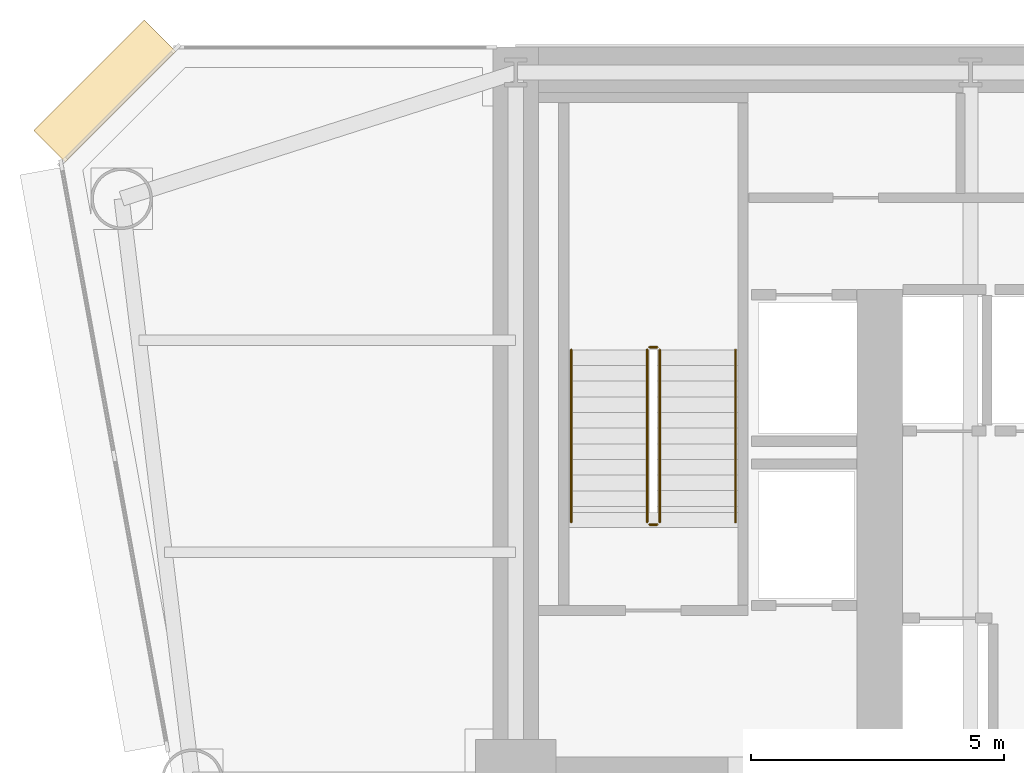
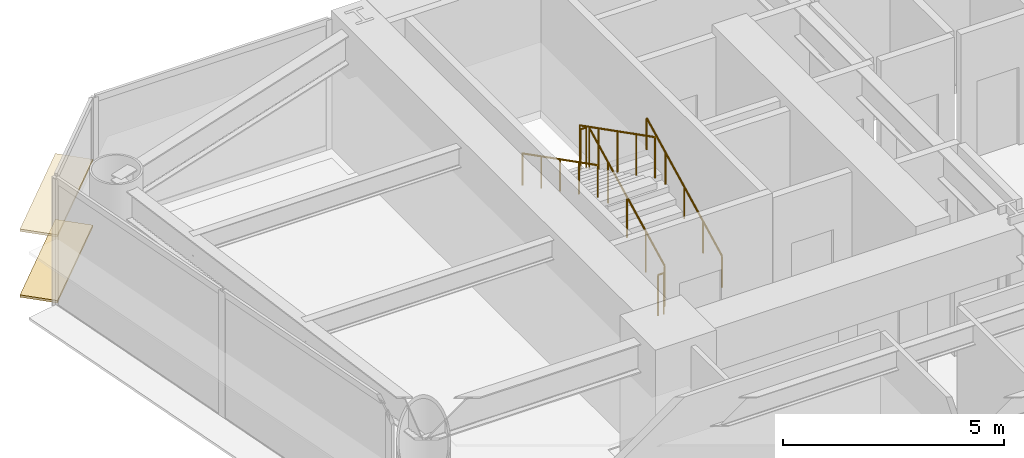
# One storey, part 12 of 14: 6 railings, 2 coverings.
"""IFC4 building model written with IfcOpenShell, lengths in metres."""

import ifcopenshell
import ifcopenshell.guid

model = None  # the IFC model being written
_history = None  # IfcOwnerHistory: only IFC2X3 demands one
_inside = {}  # id of a spatial element -> (the spatial element, [elements in it])
_under = {}  # id of a project, library or spatial element -> (it, [spatial elements below it])
_declared = {}  # id of a project -> (the project, [libraries it declares])
_typed = {}  # id of a type object -> (the type object, [elements of that type])
_made_of = {}  # id of a material, layer set ... -> (it, [elements and type objects made of it])


def new_model(schema):
    """Start an empty IFC model of exactly this schema.

    Asked for "IFC4X3", IfcOpenShell would pick the latest addendum, in which some entities
    have other attributes; the version numbers below select the first issue.
    IFC2X3 requires an IfcOwnerHistory on every rooted entity: one is made here for all.
    """
    global model, _history
    if schema == "IFC4X3":
        model = ifcopenshell.file(schema_version=(4, 3, 0, 0))
    else:
        model = ifcopenshell.file(schema=schema)
    _inside.clear()
    _under.clear()
    _declared.clear()
    _typed.clear()
    _made_of.clear()
    _history = None
    if model.schema == "IFC2X3":
        org = make("IfcOrganization", Name="unknown")
        user = make(
            "IfcPersonAndOrganization",
            ThePerson=make("IfcPerson", FamilyName="unknown"),
            TheOrganization=org,
        )
        app = make(
            "IfcApplication",
            ApplicationDeveloper=org,
            Version="unknown",
            ApplicationFullName="unknown",
            ApplicationIdentifier="unknown",
        )
        _history = make(
            "IfcOwnerHistory",
            OwningUser=user,
            OwningApplication=app,
            ChangeAction="ADDED",
            CreationDate=0,
        )
    return model


def make(cls, **values):
    """One entity of the class cls with the attributes given. An attribute that is None is left unset."""
    return model.create_entity(
        cls, **{name: value for name, value in values.items() if value is not None}
    )


def rooted(cls, **values):
    """An entity with a GlobalId (a new one), such as an element, a storey or a relation."""
    return make(cls, GlobalId=ifcopenshell.guid.new(), OwnerHistory=_history, **values)


def si_unit(unit_type, name, prefix=None):
    """IfcSIUnit, for example si_unit("LENGTHUNIT", "METRE", prefix="MILLI")."""
    return make("IfcSIUnit", UnitType=unit_type, Prefix=prefix, Name=name)


def assignment(units):
    """IfcUnitAssignment: the units of a project."""
    return None if units is None else make("IfcUnitAssignment", Units=units)


def point(xyz):
    """IfcCartesianPoint."""
    return None if xyz is None else make("IfcCartesianPoint", Coordinates=xyz)


def direction(xyz):
    """IfcDirection."""
    return None if xyz is None else make("IfcDirection", DirectionRatios=xyz)


def frame(location, z_axis=None, x_axis=None):
    """IfcAxis2Placement3D, a coordinate frame: its origin and axes. An axis left out is left unset."""
    return make(
        "IfcAxis2Placement3D",
        Location=point(location),
        Axis=direction(z_axis),
        RefDirection=direction(x_axis),
    )


def frame_2d(location, x_axis=None):
    """IfcAxis2Placement2D, a coordinate frame in the plane: its origin and x axis."""
    return make(
        "IfcAxis2Placement2D", Location=point(location), RefDirection=direction(x_axis)
    )


def origin():
    """The frame at (0, 0, 0) with its axes left unset."""
    return frame((0.0, 0.0, 0.0))


def origin_2d():
    """The frame at (0, 0) in the plane with its x axis left unset."""
    return frame_2d((0.0, 0.0))


def place(relative_to, where):
    """IfcLocalPlacement: puts the frame where relative to a parent placement (None: the world)."""
    return make(
        "IfcLocalPlacement", PlacementRelTo=relative_to, RelativePlacement=where
    )


def context(
    kind, dimensions, precision=None, world=None, true_north=None, identifier=None
):
    """IfcGeometricRepresentationContext, for example the 3D "Model" context."""
    return make(
        "IfcGeometricRepresentationContext",
        ContextIdentifier=identifier,
        ContextType=kind,
        CoordinateSpaceDimension=dimensions,
        Precision=precision,
        WorldCoordinateSystem=world,
        TrueNorth=true_north,
    )


def subcontext(parent, identifier, kind, view, scale=None):
    """IfcGeometricRepresentationSubContext, for example "Body" below "Model"."""
    return make(
        "IfcGeometricRepresentationSubContext",
        ContextIdentifier=identifier,
        ContextType=kind,
        ParentContext=parent,
        TargetScale=scale,
        TargetView=view,
    )


def project(units=None, contexts=None):
    """IfcProject with its units and contexts."""
    return rooted(
        "IfcProject",
        Name="project",
        RepresentationContexts=contexts,
        UnitsInContext=assignment(units),
    )


def spatial(cls, under=None, at=None, **own):
    """A site, building, storey or space (cls), placed at a placement, below another one or the project."""
    s = rooted(cls, ObjectPlacement=at, **own)
    if under is not None:
        _under.setdefault(under.id(), (under, []))[1].append(s)
    return s


def profile(cls, at=None, kind="AREA", **sizes):
    """A parametric profile (cls). Its sizes go by their IFC names, for example OverallWidth=200.0."""
    return make(cls, ProfileType=kind, Position=at, **sizes)


def rectangle(**sizes):
    """IfcRectangleProfileDef."""
    return profile("IfcRectangleProfileDef", **sizes)


def circle(**sizes):
    """IfcCircleProfileDef."""
    return profile("IfcCircleProfileDef", **sizes)


def extrude(swept, where, along, depth):
    """IfcExtrudedAreaSolid: the profile swept, set in the frame where, extruded along a direction by depth."""
    return make(
        "IfcExtrudedAreaSolid",
        SweptArea=swept,
        Position=where,
        ExtrudedDirection=direction(along),
        Depth=depth,
    )


def shape(context_of_items, identifier, shape_type, items):
    """IfcShapeRepresentation: the items that make up one representation, for example the "Body"."""
    return make(
        "IfcShapeRepresentation",
        ContextOfItems=context_of_items,
        RepresentationIdentifier=identifier,
        RepresentationType=shape_type,
        Items=items,
    )


def source(mapping_origin, context_of_items, identifier, shape_type, items):
    """IfcRepresentationMap: a shape defined once, which mapped items show again and again."""
    return make(
        "IfcRepresentationMap",
        MappingOrigin=mapping_origin,
        MappedRepresentation=shape(context_of_items, identifier, shape_type, items),
    )


def transform(
    local_origin,
    x_axis=None,
    y_axis=None,
    z_axis=None,
    scale=None,
    scale2=None,
    scale3=None,
    uniform=True,
):
    """IfcCartesianTransformationOperator3D, or its non-uniform kind. x_axis, y_axis, z_axis: its Axis1, 2, 3."""
    if uniform:
        return make(
            "IfcCartesianTransformationOperator3D",
            Axis1=direction(x_axis),
            Axis2=direction(y_axis),
            LocalOrigin=point(local_origin),
            Scale=scale,
            Axis3=direction(z_axis),
        )
    return make(
        "IfcCartesianTransformationOperator3DnonUniform",
        Axis1=direction(x_axis),
        Axis2=direction(y_axis),
        LocalOrigin=point(local_origin),
        Scale=scale,
        Axis3=direction(z_axis),
        Scale2=scale2,
        Scale3=scale3,
    )


def mapped(mapping_source, mapping_target):
    """IfcMappedItem: shows the shape of a source again, moved by a transform."""
    return make(
        "IfcMappedItem", MappingSource=mapping_source, MappingTarget=mapping_target
    )


def material(Name=None, Category=None):
    """IfcMaterial."""
    return make("IfcMaterial", Name=Name, Category=Category)


def layer(
    of_material, thickness, ventilated=None, Name=None, Category=None, Priority=None
):
    """IfcMaterialLayer: one layer of a wall or slab, of a material (None: an air gap)."""
    return make(
        "IfcMaterialLayer",
        Material=of_material,
        LayerThickness=thickness,
        IsVentilated=ventilated,
        Name=Name,
        Category=Category,
        Priority=Priority,
    )


def layer_set(layers, Name=None):
    """IfcMaterialLayerSet."""
    return make("IfcMaterialLayerSet", MaterialLayers=layers, LayerSetName=Name)


def made_of(thing, what):
    """Note that an element or type object is made of a material, layer set ...; save() writes the relation."""
    if what is not None:
        _made_of.setdefault(what.id(), (what, []))[1].append(thing)
    return thing


def type_object(cls, material=None, **own):
    """A type object (cls), such as IfcWallType, which elements share."""
    return made_of(rooted(cls, **own), material)


def element(
    cls,
    number,
    at=None,
    inside=None,
    cuts=None,
    type_object=None,
    material=None,
    context=None,
    identifier="Body",
    shape_type=None,
    held_by="IfcProductDefinitionShape",
    body=None,
    shapes=None,
    **own,
):
    """One element of the class cls, such as IfcWall. Its Tag is "e" and its number.

    at: its placement. inside: the storey or other place that contains it. cuts: it is an
    opening in that element (IfcRelVoidsElement). A single representation is given by context,
    identifier, shape_type and body (its items); several are given by shapes. held_by: the class
    of the entity that holds the representations. save() writes the other relations.
    """
    e = rooted(cls, Tag="e%d" % number, ObjectPlacement=at, **own)
    if body is not None:
        shapes = [shape(context, identifier, shape_type, body)]
    if shapes is not None:
        e.Representation = make(held_by, Representations=shapes)
    if inside is not None:
        _inside.setdefault(inside.id(), (inside, []))[1].append(e)
    if cuts is not None:
        rooted(
            "IfcRelVoidsElement", RelatingBuildingElement=cuts, RelatedOpeningElement=e
        )
    if type_object is not None:
        _typed.setdefault(type_object.id(), (type_object, []))[1].append(e)
    return made_of(e, material)


def aggregate(whole, parts):
    """IfcRelAggregates: a whole, such as a stair, and the parts it consists of."""
    return rooted("IfcRelAggregates", RelatingObject=whole, RelatedObjects=parts)


def save(model, path):
    """Write the relations noted so far, then the file.

    IfcRelAggregates (storeys below a building ...), IfcRelContainedInSpatialStructure (elements
    in a storey), IfcRelDefinesByType, IfcRelAssociatesMaterial and IfcRelDeclares: one each for
    every whole, place, type object, material and project.
    """
    for whole, parts in _under.values():
        aggregate(whole, parts)
    for where, things in _inside.values():
        rooted(
            "IfcRelContainedInSpatialStructure",
            RelatedElements=things,
            RelatingStructure=where,
        )
    for kind, things in _typed.values():
        rooted("IfcRelDefinesByType", RelatedObjects=things, RelatingType=kind)
    for what, things in _made_of.values():
        rooted("IfcRelAssociatesMaterial", RelatedObjects=things, RelatingMaterial=what)
    for by, libraries in _declared.values():
        rooted("IfcRelDeclares", RelatingContext=by, RelatedDefinitions=libraries)
    model.write(path)


model = new_model("IFC4")

# Units and contexts
model_context = context("Model", 3, precision=1e-05, world=origin(), true_north=direction((0.0, 1.0)))
body_context = subcontext(model_context, "Body", "Model", "MODEL_VIEW")
ifc_project = project(units=[si_unit("LENGTHUNIT", "METRE"), si_unit("AREAUNIT", "SQUARE_METRE"), si_unit("VOLUMEUNIT", "CUBIC_METRE"), si_unit("PLANEANGLEUNIT", "RADIAN"), si_unit("MASSUNIT", "GRAM", prefix="KILO")], contexts=[model_context])

# Site, building, storey
site_placement = place(None, origin())
site = spatial("IfcSite", under=ifc_project, at=site_placement, CompositionType="ELEMENT")
building_placement = place(site_placement, origin())
building = spatial("IfcBuilding", under=site, at=building_placement, Name="Vaeldorn Concourse Tower", CompositionType="ELEMENT")
storey_placement = place(building_placement, frame((0.0, 0.0, 34.0)))
storey = spatial("IfcBuildingStorey", under=building, at=storey_placement, Name="L08", CompositionType="ELEMENT", Elevation=34.0)

# Railings
ifc_material = material(Name="Anodised Bronze Aluminium", Category="aluminium")
railing_type_1 = type_object("IfcRailingType", Name="RL-STAIR-GUARD", PredefinedType="GUARDRAIL", material=ifc_material)
railing_1_placement = place(storey_placement, frame((16.85009765625, 41.60009765625, 0.158447265625)))
element("IfcRailing", 1, at=railing_1_placement, inside=storey, type_object=railing_type_1, Name="L08 ST-1 stair guard 1", PredefinedType="GUARDRAIL", context=body_context, shape_type="SweptSolid", body=[
    extrude(circle(Radius=0.02392578125, at=origin_2d()), frame((0.0, 0.0, 1.1259765625), z_axis=(0.0, 0.890581635807, 0.454823427236), x_axis=(-1.0, 0.0, 0.0)), (0.0, 0.0, 1.0), 3.828857421875),
    extrude(circle(Radius=0.02099609375, at=origin_2d()), origin(), (0.0, 0.0, 1.0), 1.101806640625),
    extrude(circle(Radius=0.02099609375, at=origin_2d()), frame((0.0, 0.8525390625, 0.435302734375)), (0.0, 0.0, 1.0), 1.101806640625),
    extrude(circle(Radius=0.02099609375, at=origin_2d()), frame((0.0, 1.705078125, 0.87060546875)), (0.0, 0.0, 1.0), 1.101806640625),
    extrude(circle(Radius=0.02099609375, at=origin_2d()), frame((0.0, 2.557373046875, 1.30615234375)), (0.0, 0.0, 1.0), 1.101806640625),
    extrude(circle(Radius=0.02099609375, at=origin_2d()), frame((0.0, 3.409912109375, 1.741455078125)), (0.0, 0.0, 1.0), 1.101806640625),
])
railing_2_placement = place(storey_placement, frame((16.800048828125, 45.06005859375, 1.89990234375)))
element("IfcRailing", 2, at=railing_2_placement, inside=storey, type_object=railing_type_1, Name="L08 ST-1 stair guard 2", PredefinedType="GUARDRAIL", context=body_context, shape_type="SweptSolid", body=[
    extrude(circle(Radius=0.02392578125, at=origin_2d()), frame((0.0, 0.0, 1.1259765625), z_axis=(-1.0, 0.0, 0.0), x_axis=(0.0, -1.0, 0.0)), (0.0, 0.0, 1.0), 0.150146484375),
    extrude(circle(Radius=0.02099609375, at=origin_2d()), origin(), (0.0, 0.0, 1.0), 1.101806640625),
    extrude(circle(Radius=0.02099609375, at=origin_2d()), frame((-0.150146484375, 0.0, 0.0)), (0.0, 0.0, 1.0), 1.101806640625),
])
railing_3_placement = place(storey_placement, frame((16.60009765625, 45.010009765625, 2.058349609375)))
element("IfcRailing", 3, at=railing_3_placement, inside=storey, type_object=railing_type_1, Name="L08 ST-1 stair guard 3", PredefinedType="GUARDRAIL", context=body_context, shape_type="SweptSolid", body=[
    extrude(circle(Radius=0.02392578125, at=origin_2d()), frame((0.0, 0.0, 1.1259765625), z_axis=(0.0, -0.890555807335, 0.454873997962), x_axis=(1.0, 0.0, 0.0)), (0.0, 0.0, 1.0), 3.828857421875),
    extrude(circle(Radius=0.02099609375, at=origin_2d()), origin(), (0.0, 0.0, 1.0), 1.101806640625),
    extrude(circle(Radius=0.02099609375, at=origin_2d()), frame((0.0, -0.8525390625, 0.435546875)), (0.0, 0.0, 1.0), 1.101806640625),
    extrude(circle(Radius=0.02099609375, at=origin_2d()), frame((0.0, -1.705078125, 0.870849609375)), (0.0, 0.0, 1.0), 1.101806640625),
    extrude(circle(Radius=0.02099609375, at=origin_2d()), frame((0.0, -2.557373046875, 1.30615234375)), (0.0, 0.0, 1.0), 1.101806640625),
    extrude(circle(Radius=0.02099609375, at=origin_2d()), frame((0.0, -3.409912109375, 1.74169921875)), (0.0, 0.0, 1.0), 1.101806640625),
])
railing_4_placement = place(storey_placement, frame((16.800048828125, 41.550048828125, 0.0)))
element("IfcRailing", 4, at=railing_4_placement, inside=storey, type_object=railing_type_1, Name="L08 ST-1 stair guard 4", PredefinedType="GUARDRAIL", context=body_context, shape_type="SweptSolid", body=[
    extrude(circle(Radius=0.02392578125, at=origin_2d()), frame((0.0, 0.0, 1.1259765625), z_axis=(-1.0, 0.0, 0.0), x_axis=(0.0, -1.0, 0.0)), (0.0, 0.0, 1.0), 0.150146484375),
    extrude(circle(Radius=0.02099609375, at=origin_2d()), origin(), (0.0, 0.0, 1.0), 1.101806640625),
    extrude(circle(Radius=0.02099609375, at=origin_2d()), frame((-0.150146484375, 0.0, 0.0)), (0.0, 0.0, 1.0), 1.101806640625),
])
railing_type_2 = type_object("IfcRailingType", Name="RL-STAIR-HANDRAIL", PredefinedType="HANDRAIL", material=ifc_material)
railing_5_placement = place(storey_placement, frame((18.35009765625, 41.60009765625, 0.158447265625)))
element("IfcRailing", 5, at=railing_5_placement, inside=storey, type_object=railing_type_2, Name="L08 ST-1 stair handrail 1", PredefinedType="HANDRAIL", context=body_context, shape_type="SweptSolid", body=[
    extrude(circle(Radius=0.02392578125, at=origin_2d()), frame((0.0, 0.0, 0.8759765625), z_axis=(0.0, 0.890581635807, 0.454823427236), x_axis=(-1.0, 0.0, 0.0)), (0.0, 0.0, 1.0), 3.828857421875),
    extrude(circle(Radius=0.02099609375, at=origin_2d()), origin(), (0.0, 0.0, 1.0), 0.851806640625),
    extrude(circle(Radius=0.02099609375, at=origin_2d()), frame((0.0, 0.8525390625, 0.435302734375)), (0.0, 0.0, 1.0), 0.851806640625),
    extrude(circle(Radius=0.02099609375, at=origin_2d()), frame((0.0, 1.705078125, 0.87060546875)), (0.0, 0.0, 1.0), 0.851806640625),
    extrude(circle(Radius=0.02099609375, at=origin_2d()), frame((0.0, 2.557373046875, 1.30615234375)), (0.0, 0.0, 1.0), 0.851806640625),
    extrude(circle(Radius=0.02099609375, at=origin_2d()), frame((0.0, 3.409912109375, 1.741455078125)), (0.0, 0.0, 1.0), 0.851806640625),
])
railing_6_placement = place(storey_placement, frame((15.10009765625, 45.010009765625, 2.058349609375)))
element("IfcRailing", 6, at=railing_6_placement, inside=storey, type_object=railing_type_2, Name="L08 ST-1 stair handrail 2", PredefinedType="HANDRAIL", context=body_context, shape_type="SweptSolid", body=[
    extrude(circle(Radius=0.02392578125, at=origin_2d()), frame((0.0, 0.0, 0.8759765625), z_axis=(0.0, -0.890555807335, 0.454873997962), x_axis=(1.0, 0.0, 0.0)), (0.0, 0.0, 1.0), 3.828857421875),
    extrude(circle(Radius=0.02099609375, at=origin_2d()), origin(), (0.0, 0.0, 1.0), 0.851806640625),
    extrude(circle(Radius=0.02099609375, at=origin_2d()), frame((0.0, -0.8525390625, 0.435546875)), (0.0, 0.0, 1.0), 0.851806640625),
    extrude(circle(Radius=0.02099609375, at=origin_2d()), frame((0.0, -1.705078125, 0.870849609375)), (0.0, 0.0, 1.0), 0.851806640625),
    extrude(circle(Radius=0.02099609375, at=origin_2d()), frame((0.0, -2.557373046875, 1.30615234375)), (0.0, 0.0, 1.0), 0.851806640625),
    extrude(circle(Radius=0.02099609375, at=origin_2d()), frame((0.0, -3.409912109375, 1.74169921875)), (0.0, 0.0, 1.0), 0.851806640625),
])

# Coverings
ifc_layer = layer(ifc_material, 0.06494140625)
ifc_layer_set = layer_set([ifc_layer], Name="Anodised Bronze Aluminium")
covering_type = type_object("IfcCoveringType", Name="SD-BRONZE-SUNSHADE", PredefinedType="USERDEFINED", material=ifc_layer_set)
shared_shape = source(origin(), body_context, "Body", "SweptSolid", [
    extrude(rectangle(XDim=3.0927734375, YDim=0.8798828125, at=origin_2d()), origin(), (0.0, 0.0, 1.0), 0.06494140625),
])
for number, where, z_axis, x_axis, name in (
    (7, (5.8671875, 50.1328125, 0.047607421875), (0.0, 0.0, 1.0), (-0.707106781187, -0.707106781187, 0.0), "Horizontal Bronze Sunshade L08-E10.1.1"),
    (8, (5.8671875, 50.1328125, 1.867431640625), (0.0, 0.0, 1.0), (-0.707106781187, -0.707106781187, 0.0), "Horizontal Bronze Sunshade L08-E10.1.2"),
):
    element("IfcCovering", number, at=place(storey_placement, frame(where, z_axis=z_axis, x_axis=x_axis)), inside=storey, type_object=covering_type, Name=name, ObjectType="SUNSHADE", PredefinedType="USERDEFINED", context=body_context, shape_type="MappedRepresentation", body=[
        mapped(shared_shape, transform((0.0, 0.0, 0.0), scale=1.0)),
    ])

save(model, "model.ifc")
